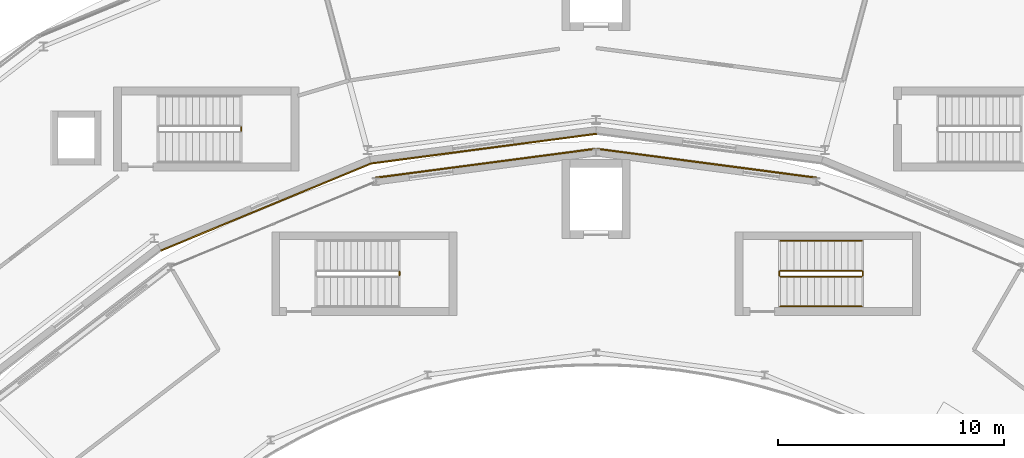
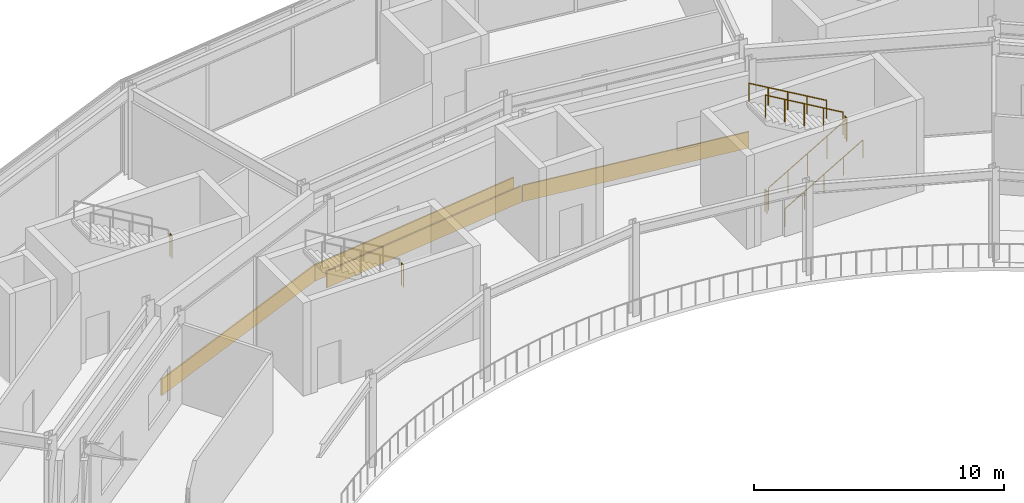
# One storey, part 149 of 157: 8 railings, 4 coverings.
"""IFC4 building model written with IfcOpenShell, lengths in metres."""

import ifcopenshell
import ifcopenshell.guid

model = None  # the IFC model being written
_history = None  # IfcOwnerHistory: only IFC2X3 demands one
_inside = {}  # id of a spatial element -> (the spatial element, [elements in it])
_under = {}  # id of a project, library or spatial element -> (it, [spatial elements below it])
_declared = {}  # id of a project -> (the project, [libraries it declares])
_typed = {}  # id of a type object -> (the type object, [elements of that type])
_made_of = {}  # id of a material, layer set ... -> (it, [elements and type objects made of it])


def new_model(schema):
    """Start an empty IFC model of exactly this schema.

    Asked for "IFC4X3", IfcOpenShell would pick the latest addendum, in which some entities
    have other attributes; the version numbers below select the first issue.
    IFC2X3 requires an IfcOwnerHistory on every rooted entity: one is made here for all.
    """
    global model, _history
    if schema == "IFC4X3":
        model = ifcopenshell.file(schema_version=(4, 3, 0, 0))
    else:
        model = ifcopenshell.file(schema=schema)
    _inside.clear()
    _under.clear()
    _declared.clear()
    _typed.clear()
    _made_of.clear()
    _history = None
    if model.schema == "IFC2X3":
        org = make("IfcOrganization", Name="unknown")
        user = make(
            "IfcPersonAndOrganization",
            ThePerson=make("IfcPerson", FamilyName="unknown"),
            TheOrganization=org,
        )
        app = make(
            "IfcApplication",
            ApplicationDeveloper=org,
            Version="unknown",
            ApplicationFullName="unknown",
            ApplicationIdentifier="unknown",
        )
        _history = make(
            "IfcOwnerHistory",
            OwningUser=user,
            OwningApplication=app,
            ChangeAction="ADDED",
            CreationDate=0,
        )
    return model


def make(cls, **values):
    """One entity of the class cls with the attributes given. An attribute that is None is left unset."""
    return model.create_entity(
        cls, **{name: value for name, value in values.items() if value is not None}
    )


def rooted(cls, **values):
    """An entity with a GlobalId (a new one), such as an element, a storey or a relation."""
    return make(cls, GlobalId=ifcopenshell.guid.new(), OwnerHistory=_history, **values)


def si_unit(unit_type, name, prefix=None):
    """IfcSIUnit, for example si_unit("LENGTHUNIT", "METRE", prefix="MILLI")."""
    return make("IfcSIUnit", UnitType=unit_type, Prefix=prefix, Name=name)


def assignment(units):
    """IfcUnitAssignment: the units of a project."""
    return None if units is None else make("IfcUnitAssignment", Units=units)


def point(xyz):
    """IfcCartesianPoint."""
    return None if xyz is None else make("IfcCartesianPoint", Coordinates=xyz)


def direction(xyz):
    """IfcDirection."""
    return None if xyz is None else make("IfcDirection", DirectionRatios=xyz)


def frame(location, z_axis=None, x_axis=None):
    """IfcAxis2Placement3D, a coordinate frame: its origin and axes. An axis left out is left unset."""
    return make(
        "IfcAxis2Placement3D",
        Location=point(location),
        Axis=direction(z_axis),
        RefDirection=direction(x_axis),
    )


def frame_2d(location, x_axis=None):
    """IfcAxis2Placement2D, a coordinate frame in the plane: its origin and x axis."""
    return make(
        "IfcAxis2Placement2D", Location=point(location), RefDirection=direction(x_axis)
    )


def origin():
    """The frame at (0, 0, 0) with its axes left unset."""
    return frame((0.0, 0.0, 0.0))


def origin_2d():
    """The frame at (0, 0) in the plane with its x axis left unset."""
    return frame_2d((0.0, 0.0))


def place(relative_to, where):
    """IfcLocalPlacement: puts the frame where relative to a parent placement (None: the world)."""
    return make(
        "IfcLocalPlacement", PlacementRelTo=relative_to, RelativePlacement=where
    )


def context(
    kind, dimensions, precision=None, world=None, true_north=None, identifier=None
):
    """IfcGeometricRepresentationContext, for example the 3D "Model" context."""
    return make(
        "IfcGeometricRepresentationContext",
        ContextIdentifier=identifier,
        ContextType=kind,
        CoordinateSpaceDimension=dimensions,
        Precision=precision,
        WorldCoordinateSystem=world,
        TrueNorth=true_north,
    )


def subcontext(parent, identifier, kind, view, scale=None):
    """IfcGeometricRepresentationSubContext, for example "Body" below "Model"."""
    return make(
        "IfcGeometricRepresentationSubContext",
        ContextIdentifier=identifier,
        ContextType=kind,
        ParentContext=parent,
        TargetScale=scale,
        TargetView=view,
    )


def project(units=None, contexts=None):
    """IfcProject with its units and contexts."""
    return rooted(
        "IfcProject",
        Name="project",
        RepresentationContexts=contexts,
        UnitsInContext=assignment(units),
    )


def spatial(cls, under=None, at=None, **own):
    """A site, building, storey or space (cls), placed at a placement, below another one or the project."""
    s = rooted(cls, ObjectPlacement=at, **own)
    if under is not None:
        _under.setdefault(under.id(), (under, []))[1].append(s)
    return s


def profile(cls, at=None, kind="AREA", **sizes):
    """A parametric profile (cls). Its sizes go by their IFC names, for example OverallWidth=200.0."""
    return make(cls, ProfileType=kind, Position=at, **sizes)


def rectangle(**sizes):
    """IfcRectangleProfileDef."""
    return profile("IfcRectangleProfileDef", **sizes)


def circle(**sizes):
    """IfcCircleProfileDef."""
    return profile("IfcCircleProfileDef", **sizes)


def extrude(swept, where, along, depth):
    """IfcExtrudedAreaSolid: the profile swept, set in the frame where, extruded along a direction by depth."""
    return make(
        "IfcExtrudedAreaSolid",
        SweptArea=swept,
        Position=where,
        ExtrudedDirection=direction(along),
        Depth=depth,
    )


def shape(context_of_items, identifier, shape_type, items):
    """IfcShapeRepresentation: the items that make up one representation, for example the "Body"."""
    return make(
        "IfcShapeRepresentation",
        ContextOfItems=context_of_items,
        RepresentationIdentifier=identifier,
        RepresentationType=shape_type,
        Items=items,
    )


def material(Name=None, Category=None):
    """IfcMaterial."""
    return make("IfcMaterial", Name=Name, Category=Category)


def layer(
    of_material, thickness, ventilated=None, Name=None, Category=None, Priority=None
):
    """IfcMaterialLayer: one layer of a wall or slab, of a material (None: an air gap)."""
    return make(
        "IfcMaterialLayer",
        Material=of_material,
        LayerThickness=thickness,
        IsVentilated=ventilated,
        Name=Name,
        Category=Category,
        Priority=Priority,
    )


def layer_set(layers, Name=None):
    """IfcMaterialLayerSet."""
    return make("IfcMaterialLayerSet", MaterialLayers=layers, LayerSetName=Name)


def made_of(thing, what):
    """Note that an element or type object is made of a material, layer set ...; save() writes the relation."""
    if what is not None:
        _made_of.setdefault(what.id(), (what, []))[1].append(thing)
    return thing


def type_object(cls, material=None, **own):
    """A type object (cls), such as IfcWallType, which elements share."""
    return made_of(rooted(cls, **own), material)


def element(
    cls,
    number,
    at=None,
    inside=None,
    cuts=None,
    type_object=None,
    material=None,
    context=None,
    identifier="Body",
    shape_type=None,
    held_by="IfcProductDefinitionShape",
    body=None,
    shapes=None,
    **own,
):
    """One element of the class cls, such as IfcWall. Its Tag is "e" and its number.

    at: its placement. inside: the storey or other place that contains it. cuts: it is an
    opening in that element (IfcRelVoidsElement). A single representation is given by context,
    identifier, shape_type and body (its items); several are given by shapes. held_by: the class
    of the entity that holds the representations. save() writes the other relations.
    """
    e = rooted(cls, Tag="e%d" % number, ObjectPlacement=at, **own)
    if body is not None:
        shapes = [shape(context, identifier, shape_type, body)]
    if shapes is not None:
        e.Representation = make(held_by, Representations=shapes)
    if inside is not None:
        _inside.setdefault(inside.id(), (inside, []))[1].append(e)
    if cuts is not None:
        rooted(
            "IfcRelVoidsElement", RelatingBuildingElement=cuts, RelatedOpeningElement=e
        )
    if type_object is not None:
        _typed.setdefault(type_object.id(), (type_object, []))[1].append(e)
    return made_of(e, material)


def aggregate(whole, parts):
    """IfcRelAggregates: a whole, such as a stair, and the parts it consists of."""
    return rooted("IfcRelAggregates", RelatingObject=whole, RelatedObjects=parts)


def save(model, path):
    """Write the relations noted so far, then the file.

    IfcRelAggregates (storeys below a building ...), IfcRelContainedInSpatialStructure (elements
    in a storey), IfcRelDefinesByType, IfcRelAssociatesMaterial and IfcRelDeclares: one each for
    every whole, place, type object, material and project.
    """
    for whole, parts in _under.values():
        aggregate(whole, parts)
    for where, things in _inside.values():
        rooted(
            "IfcRelContainedInSpatialStructure",
            RelatedElements=things,
            RelatingStructure=where,
        )
    for kind, things in _typed.values():
        rooted("IfcRelDefinesByType", RelatedObjects=things, RelatingType=kind)
    for what, things in _made_of.values():
        rooted("IfcRelAssociatesMaterial", RelatedObjects=things, RelatingMaterial=what)
    for by, libraries in _declared.values():
        rooted("IfcRelDeclares", RelatingContext=by, RelatedDefinitions=libraries)
    model.write(path)


model = new_model("IFC4")

# Units and contexts
model_context = context("Model", 3, precision=1e-05, world=origin(), true_north=direction((0.0, 1.0)))
body_context = subcontext(model_context, "Body", "Model", "MODEL_VIEW")
ifc_project = project(units=[si_unit("LENGTHUNIT", "METRE"), si_unit("AREAUNIT", "SQUARE_METRE"), si_unit("VOLUMEUNIT", "CUBIC_METRE"), si_unit("PLANEANGLEUNIT", "RADIAN"), si_unit("MASSUNIT", "GRAM", prefix="KILO")], contexts=[model_context])

# Site, building, storey
site_placement = place(None, origin())
site = spatial("IfcSite", under=ifc_project, at=site_placement, CompositionType="ELEMENT")
building_placement = place(site_placement, origin())
building = spatial("IfcBuilding", under=site, at=building_placement, Name="Almandine Court Research Institute", CompositionType="ELEMENT")
storey_placement = place(building_placement, frame((0.0, 0.0, 5.25)))
storey = spatial("IfcBuildingStorey", under=building, at=storey_placement, Name="L01", CompositionType="ELEMENT", Elevation=5.25)

# Coverings
ifc_material_1 = material(Name="Honed Andean Red-Buff Sandstone Cladding", Category="masonry")
ifc_layer = layer(ifc_material_1, 0.06494140625)
ifc_layer_set = layer_set([ifc_layer], Name="Honed Andean Red-Buff Sandstone Cladding")
covering_type = type_object("IfcCoveringType", Name="Cov-CLAD-SAND", PredefinedType="CLADDING", material=ifc_layer_set)
for number, where, z_axis, x_axis, name in (
    (1, (82.02001953125, 93.827880859375, 0.02001953125), (0.0, 0.0, 1.0), (-0.991444861374, -0.13052619222, 0.0), "L01 Facade Spandrel Cladding Band 315"),
    (2, (72.39892578125, 91.25, 0.02001953125), (0.0, 0.0, 1.0), (-0.923879532511, -0.382683432365, 0.0), "L01 Facade Spandrel Cladding Band 317"),
):
    element("IfcCovering", number, at=place(storey_placement, frame(where, z_axis=z_axis, x_axis=x_axis)), inside=storey, type_object=covering_type, Name=name, PredefinedType="CLADDING", context=body_context, shape_type="SweptSolid", body=[
        extrude(rectangle(XDim=10.080078125, YDim=0.06494140625, at=origin_2d()), origin(), (0.0, 0.0, 1.0), 0.800048828125),
    ])
for number, where, z_axis, x_axis, name in (
    (3, (91.89501953125, 93.181884765625, 0.02001953125), (0.0, 0.0, 1.0), (0.991444861374, -0.13052619222, 0.0), "L01 Facade Spandrel Cladding Band 446"),
    (4, (82.10498046875, 93.181884765625, 0.02001953125), (0.0, 0.0, 1.0), (0.991444861374, 0.13052619222, 0.0), "L01 Facade Spandrel Cladding Band 447"),
):
    element("IfcCovering", number, at=place(storey_placement, frame(where, z_axis=z_axis, x_axis=x_axis)), inside=storey, type_object=covering_type, Name=name, PredefinedType="CLADDING", context=body_context, shape_type="SweptSolid", body=[
        extrude(rectangle(XDim=9.821044921875, YDim=0.06494140625, at=origin_2d()), origin(), (0.0, 0.0, 1.0), 0.800048828125),
    ])

# Railings
ifc_material_2 = material(Name="Powder-Coated Steel Stair and Atrium Balustrade", Category="steel")
railing_type_1 = type_object("IfcRailingType", Name="Rail-GUARD-INT", PredefinedType="BALUSTRADE", material=ifc_material_2)
railing_1_placement = place(storey_placement, frame((95.14990234375, 88.169921875, 0.175048828125)))
element("IfcRailing", 5, at=railing_1_placement, inside=storey, type_object=railing_type_1, Name="L01 ST-03 stair guard 1", PredefinedType="BALUSTRADE", context=body_context, shape_type="SweptSolid", body=[
    extrude(circle(Radius=0.02392578125, at=origin_2d()), frame((0.0, 0.0, 1.09619140625), z_axis=(0.863800146258, 0.0, 0.503834603144), x_axis=(0.0, 1.0, 0.0)), (0.0, 0.0, 1.0), 4.167724609375),
    extrude(circle(Radius=0.02099609375, at=origin_2d()), origin(), (0.0, 0.0, 1.0), 1.072021484375),
    extrude(circle(Radius=0.02099609375, at=origin_2d()), frame((0.89990234375, 0.0, 0.52490234375)), (0.0, 0.0, 1.0), 1.072021484375),
    extrude(circle(Radius=0.02099609375, at=origin_2d()), frame((1.800048828125, 0.0, 1.0498046875)), (0.0, 0.0, 1.0), 1.072021484375),
    extrude(circle(Radius=0.02099609375, at=origin_2d()), frame((2.7001953125, 0.0, 1.574951171875)), (0.0, 0.0, 1.0), 1.072021484375),
    extrude(circle(Radius=0.02099609375, at=origin_2d()), frame((3.60009765625, 0.0, 2.099853515625)), (0.0, 0.0, 1.0), 1.072021484375),
])
railing_2_placement = place(storey_placement, frame((98.800048828125, 88.219970703125, 2.27490234375)))
element("IfcRailing", 6, at=railing_2_placement, inside=storey, type_object=railing_type_1, Name="L01 ST-03 stair guard 2", PredefinedType="BALUSTRADE", context=body_context, shape_type="SweptSolid", body=[
    extrude(circle(Radius=0.02392578125, at=origin_2d()), frame((0.0, 0.0, 1.09619140625), z_axis=(0.0, 1.0, 0.0), x_axis=(-1.0, 0.0, 0.0)), (0.0, 0.0, 1.0), 0.159912109375),
    extrude(circle(Radius=0.02099609375, at=origin_2d()), origin(), (0.0, 0.0, 1.0), 1.072021484375),
    extrude(circle(Radius=0.02099609375, at=origin_2d()), frame((0.0, 0.159912109375, 0.0)), (0.0, 0.0, 1.0), 1.072021484375),
])
railing_3_placement = place(storey_placement, frame((98.75, 88.429931640625, 2.449951171875)))
element("IfcRailing", 7, at=railing_3_placement, inside=storey, type_object=railing_type_1, Name="L01 ST-03 stair guard 3", PredefinedType="BALUSTRADE", context=body_context, shape_type="SweptSolid", body=[
    extrude(circle(Radius=0.02392578125, at=origin_2d()), frame((0.0, 0.0, 1.09619140625), z_axis=(-0.863774651768, 0.0, 0.503878309678), x_axis=(0.0, -1.0, 0.0)), (0.0, 0.0, 1.0), 4.16796875),
    extrude(circle(Radius=0.02099609375, at=origin_2d()), origin(), (0.0, 0.0, 1.0), 1.072021484375),
    extrude(circle(Radius=0.02099609375, at=origin_2d()), frame((-0.89990234375, 0.0, 0.52490234375)), (0.0, 0.0, 1.0), 1.072021484375),
    extrude(circle(Radius=0.02099609375, at=origin_2d()), frame((-1.800048828125, 0.0, 1.050048828125)), (0.0, 0.0, 1.0), 1.072021484375),
    extrude(circle(Radius=0.02099609375, at=origin_2d()), frame((-2.7001953125, 0.0, 1.5751953125)), (0.0, 0.0, 1.0), 1.072021484375),
    extrude(circle(Radius=0.02099609375, at=origin_2d()), frame((-3.60009765625, 0.0, 2.10009765625)), (0.0, 0.0, 1.0), 1.072021484375),
])
for number, where, name in (
    (8, (95.10009765625, 88.219970703125, 0.0), "L01 ST-03 stair guard 4"),
    (9, (78.300048828125, 88.219970703125, 2.27490234375), "L01 ST-04 stair guard 2"),
    (10, (71.300048828125, 94.6201171875, 2.27490234375), "L01 ST-10 stair guard 2"),
):
    element("IfcRailing", number, at=place(storey_placement, frame(where)), inside=storey, type_object=railing_type_1, Name=name, PredefinedType="BALUSTRADE", context=body_context, shape_type="SweptSolid", body=[
        extrude(circle(Radius=0.02392578125, at=origin_2d()), frame((0.0, 0.0, 1.09619140625), z_axis=(0.0, 1.0, 0.0), x_axis=(-1.0, 0.0, 0.0)), (0.0, 0.0, 1.0), 0.159912109375),
        extrude(circle(Radius=0.02099609375, at=origin_2d()), origin(), (0.0, 0.0, 1.0), 1.072021484375),
        extrude(circle(Radius=0.02099609375, at=origin_2d()), frame((0.0, 0.159912109375, 0.0)), (0.0, 0.0, 1.0), 1.072021484375),
    ])
ifc_material_3 = material(Name="Brushed Stainless Steel Wall Handrail", Category="steel")
railing_type_2 = type_object("IfcRailingType", Name="Rail-HAND-INT", PredefinedType="HANDRAIL", material=ifc_material_3)
railing_4_placement = place(storey_placement, frame((95.14990234375, 86.85009765625, 0.175048828125)))
element("IfcRailing", 11, at=railing_4_placement, inside=storey, type_object=railing_type_2, Name="L01 ST-03 stair handrail 1", PredefinedType="HANDRAIL", context=body_context, shape_type="SweptSolid", body=[
    extrude(circle(Radius=0.02392578125, at=origin_2d()), frame((0.0, 0.0, 0.8759765625), z_axis=(0.863800146258, 0.0, 0.503834603144), x_axis=(0.0, 1.0, 0.0)), (0.0, 0.0, 1.0), 4.167724609375),
    extrude(circle(Radius=0.02099609375, at=origin_2d()), origin(), (0.0, 0.0, 1.0), 0.851806640625),
    extrude(circle(Radius=0.02099609375, at=origin_2d()), frame((0.89990234375, 0.0, 0.52490234375)), (0.0, 0.0, 1.0), 0.851806640625),
    extrude(circle(Radius=0.02099609375, at=origin_2d()), frame((1.800048828125, 0.0, 1.0498046875)), (0.0, 0.0, 1.0), 0.851806640625),
    extrude(circle(Radius=0.02099609375, at=origin_2d()), frame((2.7001953125, 0.0, 1.574951171875)), (0.0, 0.0, 1.0), 0.851806640625),
    extrude(circle(Radius=0.02099609375, at=origin_2d()), frame((3.60009765625, 0.0, 2.099853515625)), (0.0, 0.0, 1.0), 0.851806640625),
])
railing_5_placement = place(storey_placement, frame((98.75, 89.75, 2.449951171875)))
element("IfcRailing", 12, at=railing_5_placement, inside=storey, type_object=railing_type_2, Name="L01 ST-03 stair handrail 2", PredefinedType="HANDRAIL", context=body_context, shape_type="SweptSolid", body=[
    extrude(circle(Radius=0.02392578125, at=origin_2d()), frame((0.0, 0.0, 0.8759765625), z_axis=(-0.863774651768, 0.0, 0.503878309678), x_axis=(0.0, -1.0, 0.0)), (0.0, 0.0, 1.0), 4.16796875),
    extrude(circle(Radius=0.02099609375, at=origin_2d()), origin(), (0.0, 0.0, 1.0), 0.851806640625),
    extrude(circle(Radius=0.02099609375, at=origin_2d()), frame((-0.89990234375, 0.0, 0.52490234375)), (0.0, 0.0, 1.0), 0.851806640625),
    extrude(circle(Radius=0.02099609375, at=origin_2d()), frame((-1.800048828125, 0.0, 1.050048828125)), (0.0, 0.0, 1.0), 0.851806640625),
    extrude(circle(Radius=0.02099609375, at=origin_2d()), frame((-2.7001953125, 0.0, 1.5751953125)), (0.0, 0.0, 1.0), 0.851806640625),
    extrude(circle(Radius=0.02099609375, at=origin_2d()), frame((-3.60009765625, 0.0, 2.10009765625)), (0.0, 0.0, 1.0), 0.851806640625),
])

save(model, "model.ifc")
